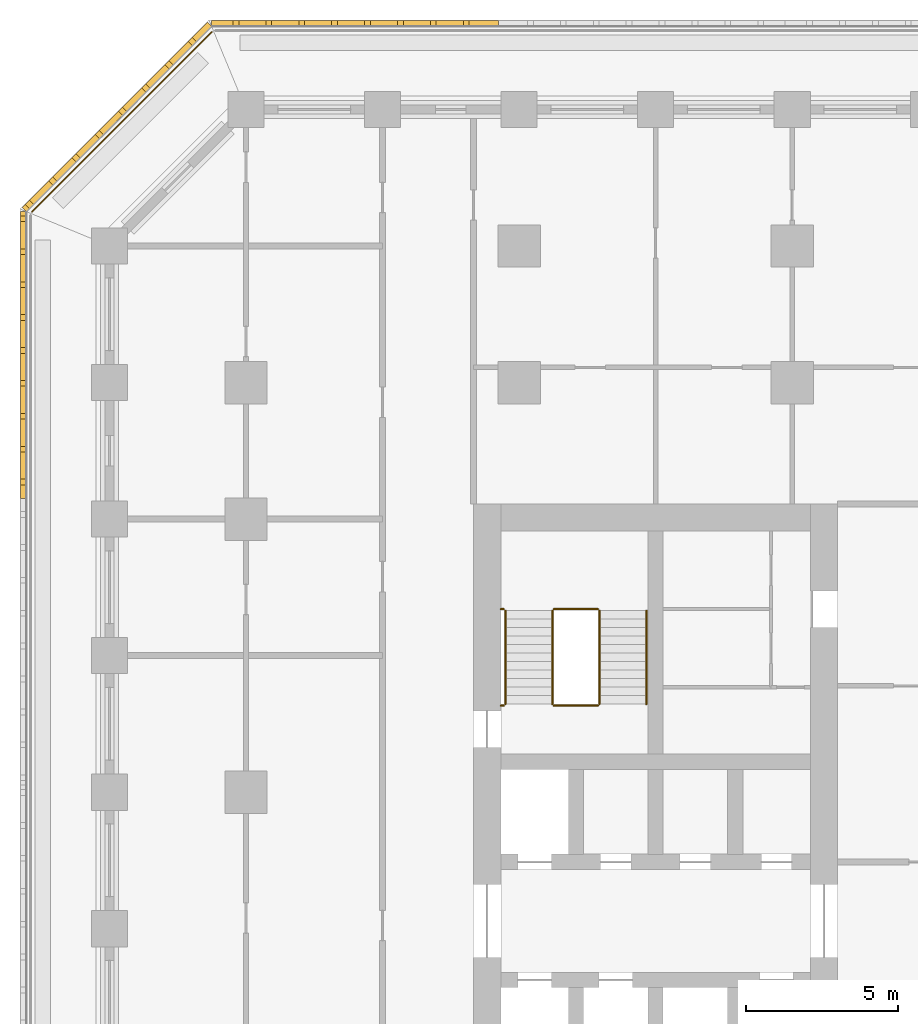
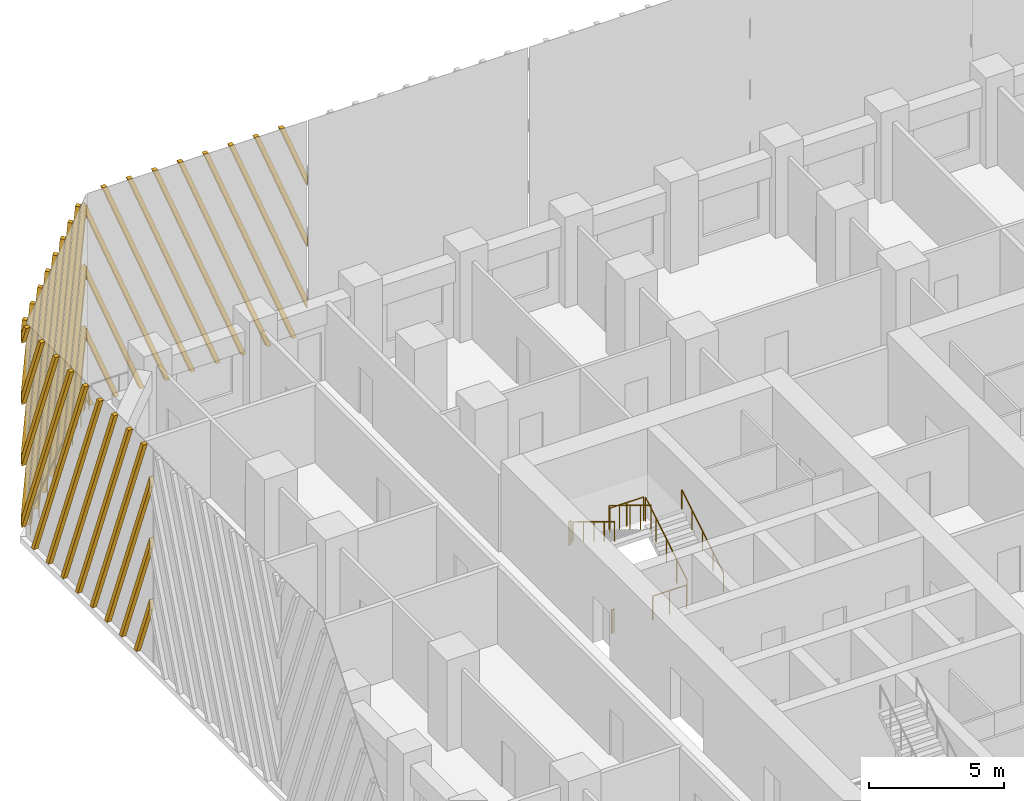
# One storey, part 16 of 20: 9 railings, 3 shading devices.
"""IFC4 building model written with IfcOpenShell, lengths in metres."""

from ifc_helpers import new_model, si_unit, direction, frame, origin, origin_2d, place, context, subcontext, project, spatial, polyline, circle, outline, extrude, source, transform, mapped, material, type_object, element, save


model = new_model("IFC4")

# Units and contexts
model_context = context("Model", 3, precision=1e-05, world=origin(), true_north=direction((0.0, 1.0)))
body_context = subcontext(model_context, "Body", "Model", "MODEL_VIEW")
ifc_project = project(units=[si_unit("LENGTHUNIT", "METRE"), si_unit("AREAUNIT", "SQUARE_METRE"), si_unit("VOLUMEUNIT", "CUBIC_METRE"), si_unit("PLANEANGLEUNIT", "RADIAN"), si_unit("MASSUNIT", "GRAM", prefix="KILO")], contexts=[model_context])

# Site, building, storey
site_placement = place(None, origin())
site = spatial("IfcSite", under=ifc_project, at=site_placement, CompositionType="ELEMENT")
building_placement = place(site_placement, origin())
building = spatial("IfcBuilding", under=site, at=building_placement, Name="Corbel Stack Research Tower", CompositionType="ELEMENT")
storey_placement = place(building_placement, frame((0.0, 0.0, 106.60009765625)))
storey = spatial("IfcBuildingStorey", under=building, at=storey_placement, Name="L24", CompositionType="ELEMENT", Elevation=106.60009765625)

# Railings
ifc_material_1 = material(Name="Steel S355", Category="steel")
railing_type_1 = type_object("IfcRailingType", Name="Stair guard 1100", PredefinedType="GUARDRAIL", material=ifc_material_1)
railing_1_placement = place(storey_placement, frame((-6.35009765625, 11.89990234375, 0.170654296875)))
element("IfcRailing", 1, at=railing_1_placement, inside=storey, type_object=railing_type_1, Name="L24 ST-W2 stair guard 1", PredefinedType="GUARDRAIL", context=body_context, shape_type="SweptSolid", body=[
    extrude(circle(Radius=0.02392578125, at=origin_2d()), frame((0.0, 0.0, 1.076171875), z_axis=(0.0, 0.853666305674, 0.52082035152), x_axis=(-1.0, 0.0, 0.0)), (0.0, 0.0, 1.0), 3.608154296875),
    extrude(circle(Radius=0.02099609375, at=origin_2d()), origin(), (0.0, 0.0, 1.0), 1.052001953125),
    extrude(circle(Radius=0.02099609375, at=origin_2d()), frame((0.0, 0.77001953125, 0.4697265625)), (0.0, 0.0, 1.0), 1.052001953125),
    extrude(circle(Radius=0.02099609375, at=origin_2d()), frame((0.0, 1.5400390625, 0.939453125)), (0.0, 0.0, 1.0), 1.052001953125),
    extrude(circle(Radius=0.02099609375, at=origin_2d()), frame((0.0, 2.31005859375, 1.409423828125)), (0.0, 0.0, 1.0), 1.052001953125),
    extrude(circle(Radius=0.02099609375, at=origin_2d()), frame((0.0, 3.080078125, 1.879150390625)), (0.0, 0.0, 1.0), 1.052001953125),
])
railing_2_placement = place(storey_placement, frame((-6.39990234375, 15.030029296875, 2.0498046875)))
element("IfcRailing", 2, at=railing_2_placement, inside=storey, type_object=railing_type_1, Name="L24 ST-W2 stair guard 2", PredefinedType="GUARDRAIL", context=body_context, shape_type="SweptSolid", body=[
    extrude(circle(Radius=0.02392578125, at=origin_2d()), frame((0.0, 0.0, 1.076171875), z_axis=(-1.0, 0.0, 0.0), x_axis=(0.0, -1.0, 0.0)), (0.0, 0.0, 1.0), 1.4501953125),
    extrude(circle(Radius=0.02099609375, at=origin_2d()), origin(), (0.0, 0.0, 1.0), 1.052001953125),
    extrude(circle(Radius=0.02099609375, at=origin_2d()), frame((-0.72509765625, 0.0, 0.0)), (0.0, 0.0, 1.0), 1.052001953125),
    extrude(circle(Radius=0.02099609375, at=origin_2d()), frame((-1.4501953125, 0.0, 0.0)), (0.0, 0.0, 1.0), 1.052001953125),
])
railing_3_placement = place(storey_placement, frame((-9.5, 15.030029296875, 2.0498046875)))
element("IfcRailing", 3, at=railing_3_placement, inside=storey, type_object=railing_type_1, Name="L24 ST-W2 stair guard 3", PredefinedType="GUARDRAIL", context=body_context, shape_type="SweptSolid", body=[
    extrude(circle(Radius=0.02392578125, at=origin_2d()), frame((0.0, 0.0, 1.076171875), z_axis=(-1.0, 0.0, 0.0), x_axis=(0.0, -1.0, 0.0)), (0.0, 0.0, 1.0), 0.10009765625),
    extrude(circle(Radius=0.02099609375, at=origin_2d()), origin(), (0.0, 0.0, 1.0), 1.052001953125),
    extrude(circle(Radius=0.02099609375, at=origin_2d()), frame((-0.10009765625, 0.0, 0.0)), (0.0, 0.0, 1.0), 1.052001953125),
])
railing_4_placement = place(storey_placement, frame((-7.89990234375, 14.97998046875, 2.220703125)))
element("IfcRailing", 4, at=railing_4_placement, inside=storey, type_object=railing_type_1, Name="L24 ST-W2 stair guard 4", PredefinedType="GUARDRAIL", context=body_context, shape_type="SweptSolid", body=[
    extrude(circle(Radius=0.02392578125, at=origin_2d()), frame((0.0, 0.0, 1.076171875), z_axis=(0.0, -0.853666305674, 0.52082035152), x_axis=(1.0, 0.0, 0.0)), (0.0, 0.0, 1.0), 3.608154296875),
    extrude(circle(Radius=0.02099609375, at=origin_2d()), origin(), (0.0, 0.0, 1.0), 1.052001953125),
    extrude(circle(Radius=0.02099609375, at=origin_2d()), frame((0.0, -0.77001953125, 0.4697265625)), (0.0, 0.0, 1.0), 1.052001953125),
    extrude(circle(Radius=0.02099609375, at=origin_2d()), frame((0.0, -1.5400390625, 0.939453125)), (0.0, 0.0, 1.0), 1.052001953125),
    extrude(circle(Radius=0.02099609375, at=origin_2d()), frame((0.0, -2.31005859375, 1.409423828125)), (0.0, 0.0, 1.0), 1.052001953125),
    extrude(circle(Radius=0.02099609375, at=origin_2d()), frame((0.0, -3.080078125, 1.879150390625)), (0.0, 0.0, 1.0), 1.052001953125),
])
railing_5_placement = place(storey_placement, frame((-6.39990234375, 11.85009765625, 0.0)))
element("IfcRailing", 5, at=railing_5_placement, inside=storey, type_object=railing_type_1, Name="L24 ST-W2 stair guard 5", PredefinedType="GUARDRAIL", context=body_context, shape_type="SweptSolid", body=[
    extrude(circle(Radius=0.02392578125, at=origin_2d()), frame((0.0, 0.0, 1.076171875), z_axis=(-1.0, 0.0, 0.0), x_axis=(0.0, -1.0, 0.0)), (0.0, 0.0, 1.0), 1.4501953125),
    extrude(circle(Radius=0.02099609375, at=origin_2d()), origin(), (0.0, 0.0, 1.0), 1.052001953125),
    extrude(circle(Radius=0.02099609375, at=origin_2d()), frame((-0.72509765625, 0.0, 0.0)), (0.0, 0.0, 1.0), 1.052001953125),
    extrude(circle(Radius=0.02099609375, at=origin_2d()), frame((-1.4501953125, 0.0, 0.0)), (0.0, 0.0, 1.0), 1.052001953125),
])
railing_6_placement = place(storey_placement, frame((-9.5, 11.85009765625, 0.0)))
element("IfcRailing", 6, at=railing_6_placement, inside=storey, type_object=railing_type_1, Name="L24 ST-W2 stair guard 6", PredefinedType="GUARDRAIL", context=body_context, shape_type="SweptSolid", body=[
    extrude(circle(Radius=0.02392578125, at=origin_2d()), frame((0.0, 0.0, 1.076171875), z_axis=(-1.0, 0.0, 0.0), x_axis=(0.0, -1.0, 0.0)), (0.0, 0.0, 1.0), 0.10009765625),
    extrude(circle(Radius=0.02099609375, at=origin_2d()), origin(), (0.0, 0.0, 1.0), 1.052001953125),
    extrude(circle(Radius=0.02099609375, at=origin_2d()), frame((-0.10009765625, 0.0, 0.0)), (0.0, 0.0, 1.0), 1.052001953125),
])
ifc_material_2 = material(Name="Steel S355", Category="steel")
railing_type_2 = type_object("IfcRailingType", Name="Stair handrail 900", PredefinedType="HANDRAIL", material=ifc_material_2)
railing_7_placement = place(storey_placement, frame((-4.800048828125, 11.89990234375, 0.170654296875)))
element("IfcRailing", 7, at=railing_7_placement, inside=storey, type_object=railing_type_2, Name="L24 ST-W2 stair handrail 1", PredefinedType="HANDRAIL", context=body_context, shape_type="SweptSolid", body=[
    extrude(circle(Radius=0.02392578125, at=origin_2d()), frame((0.0, 0.0, 0.8759765625), z_axis=(0.0, 0.853666305674, 0.52082035152), x_axis=(-1.0, 0.0, 0.0)), (0.0, 0.0, 1.0), 3.608154296875),
    extrude(circle(Radius=0.02099609375, at=origin_2d()), origin(), (0.0, 0.0, 1.0), 0.851806640625),
    extrude(circle(Radius=0.02099609375, at=origin_2d()), frame((0.0, 0.77001953125, 0.4697265625)), (0.0, 0.0, 1.0), 0.851806640625),
    extrude(circle(Radius=0.02099609375, at=origin_2d()), frame((0.0, 1.5400390625, 0.939453125)), (0.0, 0.0, 1.0), 0.851806640625),
    extrude(circle(Radius=0.02099609375, at=origin_2d()), frame((0.0, 2.31005859375, 1.409423828125)), (0.0, 0.0, 1.0), 0.851806640625),
    extrude(circle(Radius=0.02099609375, at=origin_2d()), frame((0.0, 3.080078125, 1.879150390625)), (0.0, 0.0, 1.0), 0.851806640625),
])
railing_8_placement = place(storey_placement, frame((-9.449951171875, 14.97998046875, 2.220703125)))
element("IfcRailing", 8, at=railing_8_placement, inside=storey, type_object=railing_type_2, Name="L24 ST-W2 stair handrail 2", PredefinedType="HANDRAIL", context=body_context, shape_type="SweptSolid", body=[
    extrude(circle(Radius=0.02392578125, at=origin_2d()), frame((0.0, 0.0, 0.8759765625), z_axis=(0.0, -0.853666305674, 0.52082035152), x_axis=(1.0, 0.0, 0.0)), (0.0, 0.0, 1.0), 3.608154296875),
    extrude(circle(Radius=0.02099609375, at=origin_2d()), origin(), (0.0, 0.0, 1.0), 0.851806640625),
    extrude(circle(Radius=0.02099609375, at=origin_2d()), frame((0.0, -0.77001953125, 0.4697265625)), (0.0, 0.0, 1.0), 0.851806640625),
    extrude(circle(Radius=0.02099609375, at=origin_2d()), frame((0.0, -1.5400390625, 0.939453125)), (0.0, 0.0, 1.0), 0.851806640625),
    extrude(circle(Radius=0.02099609375, at=origin_2d()), frame((0.0, -2.31005859375, 1.409423828125)), (0.0, 0.0, 1.0), 0.851806640625),
    extrude(circle(Radius=0.02099609375, at=origin_2d()), frame((0.0, -3.080078125, 1.879150390625)), (0.0, 0.0, 1.0), 0.851806640625),
])
ifc_material_3 = material(Name="Powder-coated steel guard", Category="steel")
railing_type_3 = type_object("IfcRailingType", Name="Steel and glass guard 1100", PredefinedType="GUARDRAIL", material=ifc_material_3)
railing_9_placement = place(storey_placement, frame((-19.127685546875, 34.04931640625, 0.0)))
element("IfcRailing", 9, at=railing_9_placement, inside=storey, type_object=railing_type_3, Name="Loggia guard L24 NW", PredefinedType="GUARDRAIL", context=body_context, shape_type="SweptSolid", body=[
    extrude(circle(Radius=0.02392578125, at=origin_2d()), frame((0.0, 0.0, 1.076171875), z_axis=(-0.707106781187, -0.707106781187, 0.0), x_axis=(0.707106781187, -0.707106781187, 0.0)), (0.0, 0.0, 1.0), 8.37451171875),
    extrude(circle(Radius=0.02099609375, at=origin_2d()), origin(), (0.0, 0.0, 1.0), 1.052001953125),
    extrude(circle(Radius=0.02099609375, at=origin_2d()), frame((-0.845947265625, -0.845947265625, 0.0)), (0.0, 0.0, 1.0), 1.052001953125),
    extrude(circle(Radius=0.02099609375, at=origin_2d()), frame((-1.69189453125, -1.69189453125, 0.0)), (0.0, 0.0, 1.0), 1.052001953125),
    extrude(circle(Radius=0.02099609375, at=origin_2d()), frame((-2.537841796875, -2.537841796875, 0.0)), (0.0, 0.0, 1.0), 1.052001953125),
    extrude(circle(Radius=0.02099609375, at=origin_2d()), frame((-3.3837890625, -3.3837890625, 0.0)), (0.0, 0.0, 1.0), 1.052001953125),
    extrude(circle(Radius=0.02099609375, at=origin_2d()), frame((-4.229736328125, -4.229736328125, 0.0)), (0.0, 0.0, 1.0), 1.052001953125),
    extrude(circle(Radius=0.02099609375, at=origin_2d()), frame((-5.07568359375, -5.07568359375, 0.0)), (0.0, 0.0, 1.0), 1.052001953125),
    extrude(circle(Radius=0.02099609375, at=origin_2d()), frame((-5.921630859375, -5.921630859375, 0.0)), (0.0, 0.0, 1.0), 1.052001953125),
])

# Shading devices
ifc_material_4 = material(Name="Precast terracotta", Category="masonry")
shading_device_type = type_object("IfcShadingDeviceType", Name="Terracotta screen panel", PredefinedType="USERDEFINED", material=ifc_material_4)
shared_shape_1 = source(origin(), body_context, "Body", "SweptSolid", [
    extrude(outline(polyline([(1.152099609375, 9.64990234375), (0.962158203125, 9.64990234375), (0.0, 7.1865234375), (0.0, 6.699951171875), (1.152099609375, 9.64990234375)])), frame((0.0, 0.0, 0.0), z_axis=(0.0, -1.0, 0.0), x_axis=(1.0, 0.0, 0.0)), (0.0, 0.0, 1.0), 0.179931640625),
    extrude(outline(polyline([(2.23681640625, 9.64990234375), (2.046875, 9.64990234375), (0.0, 4.4091796875), (0.0, 3.922607421875), (2.23681640625, 9.64990234375)])), frame((0.0, 0.0, 0.0), z_axis=(0.0, -1.0, 0.0), x_axis=(1.0, 0.0, 0.0)), (0.0, 0.0, 1.0), 0.179931640625),
    extrude(outline(polyline([(3.3212890625, 9.64990234375), (3.13134765625, 9.64990234375), (0.0, 1.6318359375), (0.0, 1.1455078125), (3.3212890625, 9.64990234375)])), frame((0.0, 0.0, 0.0), z_axis=(0.0, -1.0, 0.0), x_axis=(1.0, 0.0, 0.0)), (0.0, 0.0, 1.0), 0.179931640625),
    extrude(outline(polyline([(0.63720703125, 0.0), (4.406005859375, 9.64990234375), (4.216064453125, 9.64990234375), (0.447265625, 0.0), (0.63720703125, 0.0)])), frame((0.0, 0.0, 0.0), z_axis=(0.0, -1.0, 0.0), x_axis=(1.0, 0.0, 0.0)), (0.0, 0.0, 1.0), 0.179931640625),
    extrude(outline(polyline([(1.721923828125, 0.0), (5.49072265625, 9.64990234375), (5.30078125, 9.64990234375), (1.531982421875, 0.0), (1.721923828125, 0.0)])), frame((0.0, 0.0, 0.0), z_axis=(0.0, -1.0, 0.0), x_axis=(1.0, 0.0, 0.0)), (0.0, 0.0, 1.0), 0.179931640625),
    extrude(outline(polyline([(2.806640625, 0.0), (6.575439453125, 9.64990234375), (6.385498046875, 9.64990234375), (2.61669921875, 0.0), (2.806640625, 0.0)])), frame((0.0, 0.0, 0.0), z_axis=(0.0, -1.0, 0.0), x_axis=(1.0, 0.0, 0.0)), (0.0, 0.0, 1.0), 0.179931640625),
    extrude(outline(polyline([(3.891357421875, 0.0), (7.66015625, 9.64990234375), (7.47021484375, 9.64990234375), (3.701416015625, 0.0), (3.891357421875, 0.0)])), frame((0.0, 0.0, 0.0), z_axis=(0.0, -1.0, 0.0), x_axis=(1.0, 0.0, 0.0)), (0.0, 0.0, 1.0), 0.179931640625),
    extrude(outline(polyline([(4.97607421875, 0.0), (8.744873046875, 9.64990234375), (8.5546875, 9.64990234375), (4.785888671875, 0.0), (4.97607421875, 0.0)])), frame((0.0, 0.0, 0.0), z_axis=(0.0, -1.0, 0.0), x_axis=(1.0, 0.0, 0.0)), (0.0, 0.0, 1.0), 0.179931640625),
    extrude(outline(polyline([(6.060791015625, 0.0), (9.45556640625, 8.69287109375), (9.45556640625, 9.179443359375), (5.87060546875, 0.0), (6.060791015625, 0.0)])), frame((0.0, 0.0, 0.0), z_axis=(0.0, -1.0, 0.0), x_axis=(1.0, 0.0, 0.0)), (0.0, 0.0, 1.0), 0.179931640625),
    extrude(outline(polyline([(7.145263671875, 0.0), (9.45556640625, 5.91552734375), (9.45556640625, 6.402099609375), (6.955322265625, 0.0), (7.145263671875, 0.0)])), frame((0.0, 0.0, 0.0), z_axis=(0.0, -1.0, 0.0), x_axis=(1.0, 0.0, 0.0)), (0.0, 0.0, 1.0), 0.179931640625),
    extrude(outline(polyline([(8.22998046875, 0.0), (9.45556640625, 3.13818359375), (9.45556640625, 3.624755859375), (8.0400390625, 0.0), (8.22998046875, 0.0)])), frame((0.0, 0.0, 0.0), z_axis=(0.0, -1.0, 0.0), x_axis=(1.0, 0.0, 0.0)), (0.0, 0.0, 1.0), 0.179931640625),
    extrude(outline(polyline([(9.314697265625, 0.0), (9.45556640625, 0.361083984375), (9.45556640625, 0.847412109375), (9.124755859375, 0.0), (9.314697265625, 0.0)])), frame((0.0, 0.0, 0.0), z_axis=(0.0, -1.0, 0.0), x_axis=(1.0, 0.0, 0.0)), (0.0, 0.0, 1.0), 0.179931640625),
])
shading_device_1_placement = place(storey_placement, frame((-9.68359375, 34.25, 0.0), z_axis=(0.0, 0.0, 1.0), x_axis=(-1.0, 0.0, 0.0)))
element("IfcShadingDevice", 10, at=shading_device_1_placement, inside=storey, type_object=shading_device_type, Name="Terracotta screen L24 N5", ObjectType="SCREEN", PredefinedType="USERDEFINED", context=body_context, shape_type="MappedRepresentation", body=[
    mapped(shared_shape_1, transform((0.0, 0.0, 0.0))),
])
shared_shape_2 = source(origin(), body_context, "Body", "SweptSolid", [
    extrude(outline(polyline([(0.3310546875, 0.0), (0.0, 0.847412109375), (0.0, 0.361083984375), (0.14111328125, 0.0), (0.3310546875, 0.0)])), frame((0.0, 0.0, 0.0), z_axis=(0.0, -1.0, 0.0), x_axis=(1.0, 0.0, 0.0)), (0.0, 0.0, 1.0), 0.179931640625),
    extrude(outline(polyline([(1.41552734375, 0.0), (0.0, 3.624755859375), (0.0, 3.13818359375), (1.2255859375, 0.0), (1.41552734375, 0.0)])), frame((0.0, 0.0, 0.0), z_axis=(0.0, -1.0, 0.0), x_axis=(1.0, 0.0, 0.0)), (0.0, 0.0, 1.0), 0.179931640625),
    extrude(outline(polyline([(2.500244140625, 0.0), (0.0, 6.402099609375), (0.0, 5.91552734375), (2.310302734375, 0.0), (2.500244140625, 0.0)])), frame((0.0, 0.0, 0.0), z_axis=(0.0, -1.0, 0.0), x_axis=(1.0, 0.0, 0.0)), (0.0, 0.0, 1.0), 0.179931640625),
    extrude(outline(polyline([(3.5849609375, 0.0), (0.0, 9.179443359375), (0.0, 8.69287109375), (3.39501953125, 0.0), (3.5849609375, 0.0)])), frame((0.0, 0.0, 0.0), z_axis=(0.0, -1.0, 0.0), x_axis=(1.0, 0.0, 0.0)), (0.0, 0.0, 1.0), 0.179931640625),
    extrude(outline(polyline([(4.669677734375, 0.0), (0.90087890625, 9.64990234375), (0.7109375, 9.64990234375), (4.4794921875, 0.0), (4.669677734375, 0.0)])), frame((0.0, 0.0, 0.0), z_axis=(0.0, -1.0, 0.0), x_axis=(1.0, 0.0, 0.0)), (0.0, 0.0, 1.0), 0.179931640625),
    extrude(outline(polyline([(5.75439453125, 0.0), (1.985595703125, 9.64990234375), (1.79541015625, 9.64990234375), (5.564208984375, 0.0), (5.75439453125, 0.0)])), frame((0.0, 0.0, 0.0), z_axis=(0.0, -1.0, 0.0), x_axis=(1.0, 0.0, 0.0)), (0.0, 0.0, 1.0), 0.179931640625),
    extrude(outline(polyline([(6.839111328125, 0.0), (3.0703125, 9.64990234375), (2.880126953125, 9.64990234375), (6.64892578125, 0.0), (6.839111328125, 0.0)])), frame((0.0, 0.0, 0.0), z_axis=(0.0, -1.0, 0.0), x_axis=(1.0, 0.0, 0.0)), (0.0, 0.0, 1.0), 0.179931640625),
    extrude(outline(polyline([(7.923583984375, 0.0), (4.15478515625, 9.64990234375), (3.96484375, 9.64990234375), (7.733642578125, 0.0), (7.923583984375, 0.0)])), frame((0.0, 0.0, 0.0), z_axis=(0.0, -1.0, 0.0), x_axis=(1.0, 0.0, 0.0)), (0.0, 0.0, 1.0), 0.179931640625),
    extrude(outline(polyline([(5.239501953125, 9.64990234375), (5.049560546875, 9.64990234375), (8.64208984375, 0.451171875), (8.64208984375, 0.9375), (5.239501953125, 9.64990234375)])), frame((0.0, 0.0, 0.0), z_axis=(0.0, -1.0, 0.0), x_axis=(1.0, 0.0, 0.0)), (0.0, 0.0, 1.0), 0.179931640625),
    extrude(outline(polyline([(6.32421875, 9.64990234375), (6.13427734375, 9.64990234375), (8.64208984375, 3.228515625), (8.64208984375, 3.71484375), (6.32421875, 9.64990234375)])), frame((0.0, 0.0, 0.0), z_axis=(0.0, -1.0, 0.0), x_axis=(1.0, 0.0, 0.0)), (0.0, 0.0, 1.0), 0.179931640625),
    extrude(outline(polyline([(7.408935546875, 9.64990234375), (7.218994140625, 9.64990234375), (8.64208984375, 6.005615234375), (8.64208984375, 6.4921875), (7.408935546875, 9.64990234375)])), frame((0.0, 0.0, 0.0), z_axis=(0.0, -1.0, 0.0), x_axis=(1.0, 0.0, 0.0)), (0.0, 0.0, 1.0), 0.179931640625),
    extrude(outline(polyline([(8.493408203125, 9.64990234375), (8.303466796875, 9.64990234375), (8.64208984375, 8.782958984375), (8.64208984375, 9.26953125), (8.493408203125, 9.64990234375)])), frame((0.0, 0.0, 0.0), z_axis=(0.0, -1.0, 0.0), x_axis=(1.0, 0.0, 0.0)), (0.0, 0.0, 1.0), 0.179931640625),
])
shading_device_2_placement = place(storey_placement, frame((-19.13916015625, 34.25, 0.0), z_axis=(0.0, 0.0, 1.0), x_axis=(-0.707106781187, -0.707106781187, 0.0)))
element("IfcShadingDevice", 11, at=shading_device_2_placement, inside=storey, type_object=shading_device_type, Name="Terracotta screen L24 NW1", ObjectType="SCREEN", PredefinedType="USERDEFINED", context=body_context, shape_type="MappedRepresentation", body=[
    mapped(shared_shape_2, transform((0.0, 0.0, 0.0))),
])
shared_shape_3 = source(origin(), body_context, "Body", "SweptSolid", [
    extrude(outline(polyline([(0.338623046875, 9.64990234375), (0.148681640625, 9.64990234375), (0.0, 9.26953125), (0.0, 8.782958984375), (0.338623046875, 9.64990234375)])), frame((0.0, 0.0, 0.0), z_axis=(0.0, -1.0, 0.0), x_axis=(1.0, 0.0, 0.0)), (0.0, 0.0, 1.0), 0.179931640625),
    extrude(outline(polyline([(1.42333984375, 9.64990234375), (1.2333984375, 9.64990234375), (0.0, 6.4921875), (0.0, 6.005615234375), (1.42333984375, 9.64990234375)])), frame((0.0, 0.0, 0.0), z_axis=(0.0, -1.0, 0.0), x_axis=(1.0, 0.0, 0.0)), (0.0, 0.0, 1.0), 0.179931640625),
    extrude(outline(polyline([(2.5078125, 9.64990234375), (2.31787109375, 9.64990234375), (0.0, 3.71484375), (0.0, 3.228515625), (2.5078125, 9.64990234375)])), frame((0.0, 0.0, 0.0), z_axis=(0.0, -1.0, 0.0), x_axis=(1.0, 0.0, 0.0)), (0.0, 0.0, 1.0), 0.179931640625),
    extrude(outline(polyline([(3.592529296875, 9.64990234375), (3.402587890625, 9.64990234375), (0.0, 0.9375), (0.0, 0.451171875), (3.592529296875, 9.64990234375)])), frame((0.0, 0.0, 0.0), z_axis=(0.0, -1.0, 0.0), x_axis=(1.0, 0.0, 0.0)), (0.0, 0.0, 1.0), 0.179931640625),
    extrude(outline(polyline([(0.908447265625, 0.0), (4.67724609375, 9.64990234375), (4.4873046875, 9.64990234375), (0.718505859375, 0.0), (0.908447265625, 0.0)])), frame((0.0, 0.0, 0.0), z_axis=(0.0, -1.0, 0.0), x_axis=(1.0, 0.0, 0.0)), (0.0, 0.0, 1.0), 0.179931640625),
    extrude(outline(polyline([(1.9931640625, 0.0), (5.761962890625, 9.64990234375), (5.572021484375, 9.64990234375), (1.80322265625, 0.0), (1.9931640625, 0.0)])), frame((0.0, 0.0, 0.0), z_axis=(0.0, -1.0, 0.0), x_axis=(1.0, 0.0, 0.0)), (0.0, 0.0, 1.0), 0.179931640625),
    extrude(outline(polyline([(3.077880859375, 0.0), (6.8466796875, 9.64990234375), (6.656494140625, 9.64990234375), (2.8876953125, 0.0), (3.077880859375, 0.0)])), frame((0.0, 0.0, 0.0), z_axis=(0.0, -1.0, 0.0), x_axis=(1.0, 0.0, 0.0)), (0.0, 0.0, 1.0), 0.179931640625),
    extrude(outline(polyline([(4.16259765625, 0.0), (7.931396484375, 9.64990234375), (7.7412109375, 9.64990234375), (3.972412109375, 0.0), (4.16259765625, 0.0)])), frame((0.0, 0.0, 0.0), z_axis=(0.0, -1.0, 0.0), x_axis=(1.0, 0.0, 0.0)), (0.0, 0.0, 1.0), 0.179931640625),
    extrude(outline(polyline([(5.247314453125, 0.0), (9.015869140625, 9.64990234375), (8.825927734375, 9.64990234375), (5.05712890625, 0.0), (5.247314453125, 0.0)])), frame((0.0, 0.0, 0.0), z_axis=(0.0, -1.0, 0.0), x_axis=(1.0, 0.0, 0.0)), (0.0, 0.0, 1.0), 0.179931640625),
    extrude(outline(polyline([(6.331787109375, 0.0), (9.45556640625, 7.99853515625), (9.45556640625, 8.485107421875), (6.141845703125, 0.0), (6.331787109375, 0.0)])), frame((0.0, 0.0, 0.0), z_axis=(0.0, -1.0, 0.0), x_axis=(1.0, 0.0, 0.0)), (0.0, 0.0, 1.0), 0.179931640625),
    extrude(outline(polyline([(7.41650390625, 0.0), (9.45556640625, 5.22119140625), (9.45556640625, 5.707763671875), (7.2265625, 0.0), (7.41650390625, 0.0)])), frame((0.0, 0.0, 0.0), z_axis=(0.0, -1.0, 0.0), x_axis=(1.0, 0.0, 0.0)), (0.0, 0.0, 1.0), 0.179931640625),
    extrude(outline(polyline([(8.501220703125, 0.0), (9.45556640625, 2.44384765625), (9.45556640625, 2.930419921875), (8.311279296875, 0.0), (8.501220703125, 0.0)])), frame((0.0, 0.0, 0.0), z_axis=(0.0, -1.0, 0.0), x_axis=(1.0, 0.0, 0.0)), (0.0, 0.0, 1.0), 0.179931640625),
])
shading_device_3_placement = place(storey_placement, frame((-25.25, 28.13916015625, 0.0), z_axis=(0.0, 0.0, 1.0), x_axis=(0.0, -1.0, 0.0)))
element("IfcShadingDevice", 12, at=shading_device_3_placement, inside=storey, type_object=shading_device_type, Name="Terracotta screen L24 W1", ObjectType="SCREEN", PredefinedType="USERDEFINED", context=body_context, shape_type="MappedRepresentation", body=[
    mapped(shared_shape_3, transform((0.0, 0.0, 0.0))),
])

save(model, "model.ifc")
